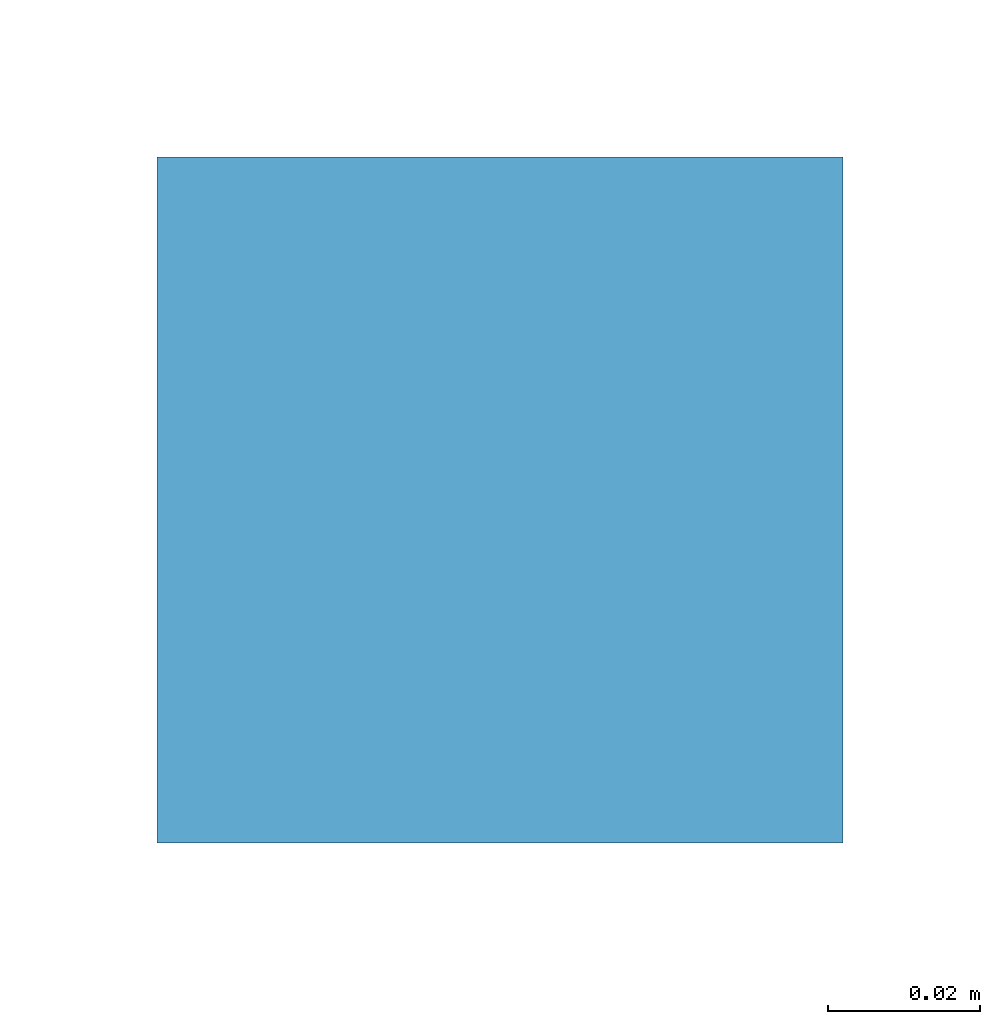
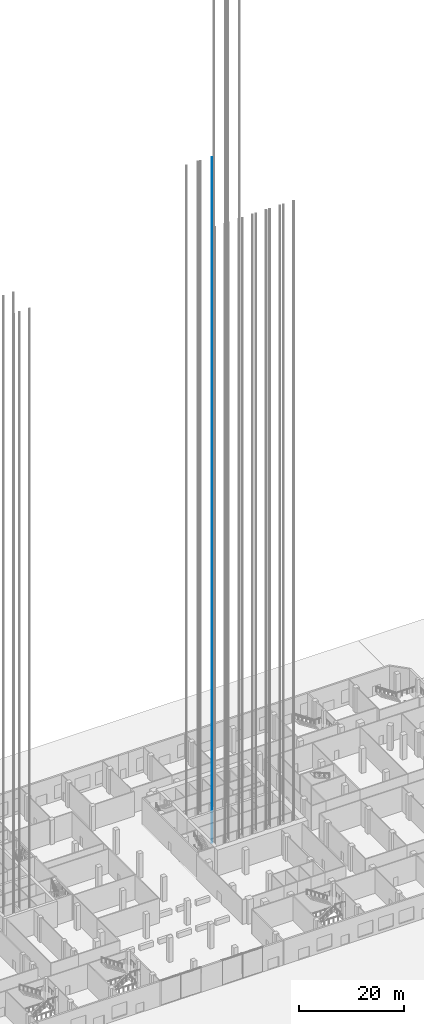
# One storey, part 27 of 55: 1 member.
"""IFC4 building model written with IfcOpenShell, lengths in metres."""

from ifc_helpers import new_model, si_unit, direction, frame, origin, origin_2d, place, context, subcontext, project, spatial, rectangle, extrude, material, material_profile, profile_set, type_object, element, save


model = new_model("IFC4")

# Units and contexts
model_context = context("Model", 3, precision=1e-05, world=origin(), true_north=direction((0.0, 1.0)))
body_context = subcontext(model_context, "Body", "Model", "MODEL_VIEW")
ifc_project = project(units=[si_unit("LENGTHUNIT", "METRE"), si_unit("AREAUNIT", "SQUARE_METRE"), si_unit("VOLUMEUNIT", "CUBIC_METRE"), si_unit("PLANEANGLEUNIT", "RADIAN"), si_unit("MASSUNIT", "GRAM", prefix="KILO")], contexts=[model_context])

# Site, building, storey
site_placement = place(None, origin())
site = spatial("IfcSite", under=ifc_project, at=site_placement, CompositionType="ELEMENT")
building_placement = place(site_placement, origin())
building = spatial("IfcBuilding", under=site, at=building_placement, Name="Cinnabar Reach Civic Tower", CompositionType="ELEMENT")
storey_placement = place(building_placement, origin())
storey = spatial("IfcBuildingStorey", under=building, at=storey_placement, Name="L00", CompositionType="ELEMENT", Elevation=0.0)

# Member
ifc_material = material(Name="Steel Q355B", Category="steel")
ifc_material_profile = material_profile(ifc_material, rectangle(XDim=0.09, YDim=0.09, at=origin_2d()), Name="T1 lift guide rail")
ifc_profile_set = profile_set([ifc_material_profile], Name="Steel Q355B")
member_type = type_object("IfcMemberType", Name="T1 lift guide rail", PredefinedType="USERDEFINED", material=ifc_profile_set)
member_placement = place(storey_placement, frame((10.28, 33.0, -2.5), z_axis=(0.0, 0.0, 1.0), x_axis=(1.0, 0.0, 0.0)))
element("IfcMember", 1, at=member_placement, inside=storey, type_object=member_type, Name="T1-SH2 guide rail 2", ObjectType="GUIDE RAIL", PredefinedType="USERDEFINED", context=body_context, shape_type="SweptSolid", body=[
    extrude(rectangle(XDim=0.09, YDim=0.09, at=origin_2d()), origin(), (0.0, 0.0, 1.0), 158.9),
])

save(model, "model.ifc")
